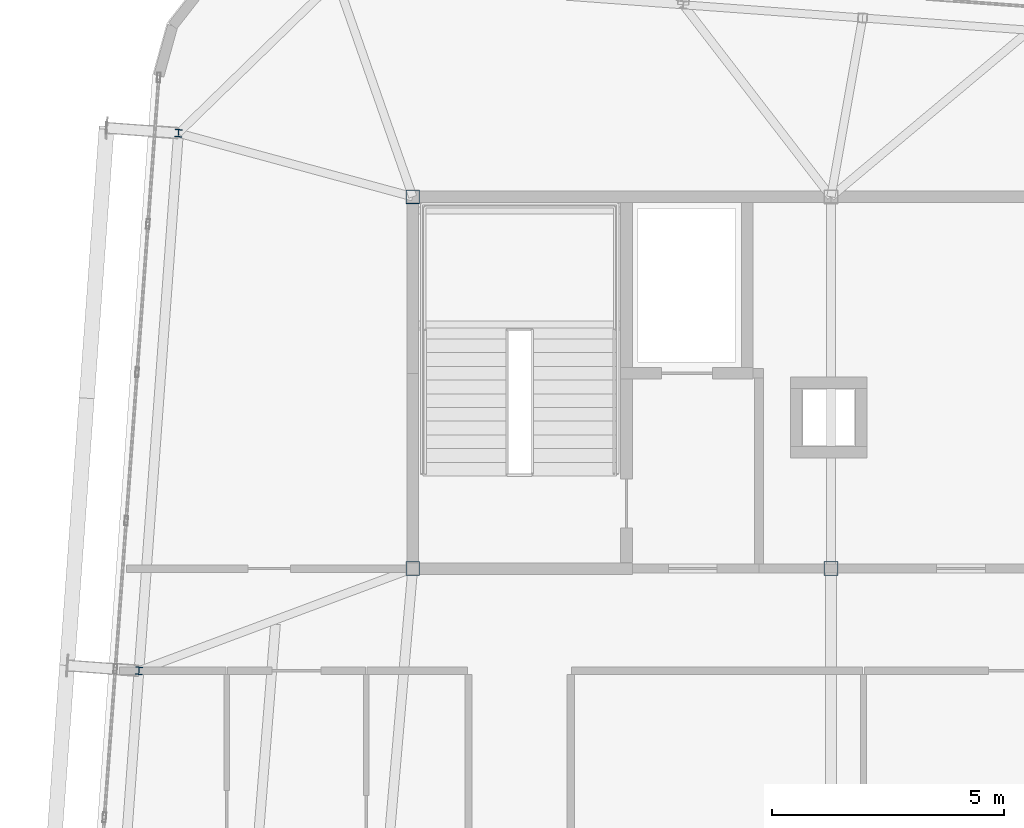
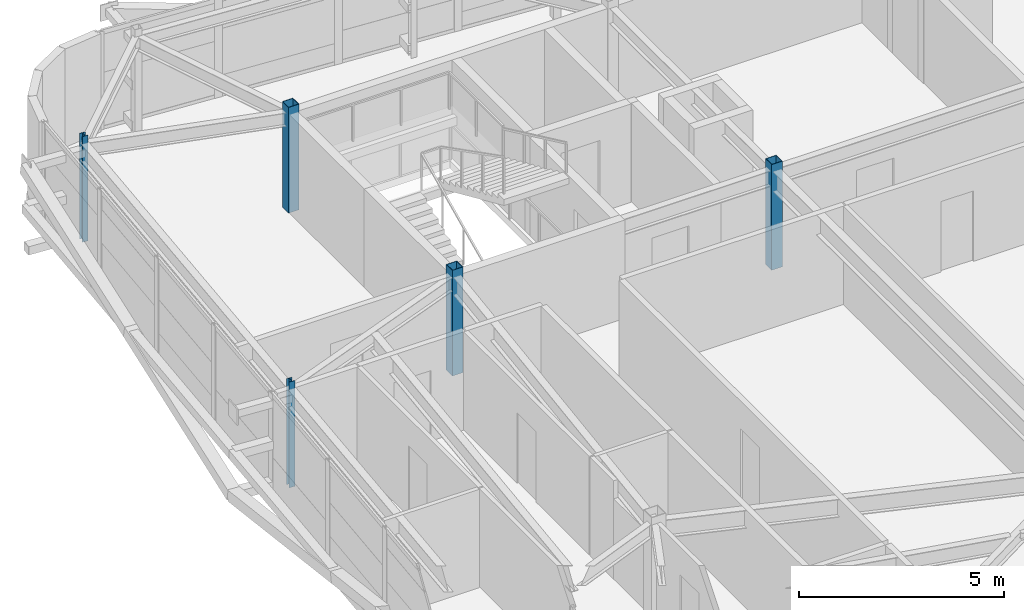
# One storey, part 3 of 42: 5 columns.
"""IFC4 building model written with IfcOpenShell, lengths in metres."""

from ifc_helpers import new_model, si_unit, direction, frame, origin, origin_2d, place, context, subcontext, project, spatial, hollow_rectangle, i_section, extrude, source, transform, mapped, material, material_profile, profile_set, type_object, element, save


model = new_model("IFC4")

# Units and contexts
model_context = context("Model", 3, precision=1e-05, world=origin(), true_north=direction((0.0, 1.0)))
body_context = subcontext(model_context, "Body", "Model", "MODEL_VIEW")
ifc_project = project(units=[si_unit("LENGTHUNIT", "METRE"), si_unit("AREAUNIT", "SQUARE_METRE"), si_unit("VOLUMEUNIT", "CUBIC_METRE"), si_unit("PLANEANGLEUNIT", "RADIAN"), si_unit("MASSUNIT", "GRAM", prefix="KILO")], contexts=[model_context])

# Site, building, storey
site_placement = place(None, origin())
site = spatial("IfcSite", under=ifc_project, at=site_placement, CompositionType="ELEMENT")
building_placement = place(site_placement, origin())
building = spatial("IfcBuilding", under=site, at=building_placement, Name="Taldren Reach Tower", CompositionType="ELEMENT")
storey_placement = place(building_placement, frame((0.0, 0.0, 220.85009765625)))
storey = spatial("IfcBuildingStorey", under=building, at=storey_placement, Name="L67", CompositionType="ELEMENT", Elevation=220.85009765625)

# Columns
ifc_material_1 = material(Name="Steel Gr 450 (C450L0)", Category="steel")
ifc_material_profile_1 = material_profile(ifc_material_1, hollow_rectangle(XDim=0.300048828125, YDim=0.300048828125, WallThickness=0.012451171875, at=origin_2d()), Name="300x300x12.5SHS")
ifc_profile_set_1 = profile_set([ifc_material_profile_1], Name="Steel Gr 450 (C450L0)")
column_type_1 = type_object("IfcColumnType", Name="COL-SHS300", PredefinedType="COLUMN", material=ifc_profile_set_1)
shared_shape_1 = source(origin(), body_context, "Body", "SweptSolid", [
    extrude(hollow_rectangle(XDim=0.300048828125, YDim=0.300048828125, WallThickness=0.012451171875, at=origin_2d()), origin(), (0.0, 0.0, 1.0), 3.14990234375),
])
for number, where, z_axis, x_axis, name in (
    (1, (19.0, 24.0, 0.0), (0.0, 0.0, 1.0), (1.0, 0.0, 0.0), "Mega column MC-C1 L67"),
    (2, (28.0, 24.0, 0.0), (0.0, 0.0, 1.0), (1.0, 0.0, 0.0), "Mega column MC-C2 L67"),
    (3, (19.0, 32.0, 0.0), (0.0, 0.0, 1.0), (1.0, 0.0, 0.0), "Mega column MC-C5 L67"),
):
    element("IfcColumn", number, at=place(storey_placement, frame(where, z_axis=z_axis, x_axis=x_axis)), inside=storey, type_object=column_type_1, Name=name, PredefinedType="COLUMN", context=body_context, shape_type="MappedRepresentation", body=[
        mapped(shared_shape_1, transform((0.0, 0.0, 0.0), scale=1.0)),
    ])
ifc_material_2 = material(Name="Steel Gr 350 (350PLUS)", Category="steel")
ifc_material_profile_2 = material_profile(ifc_material_2, i_section(OverallWidth=0.154052734375, OverallDepth=0.162109375, WebThickness=0.008056640625, FlangeThickness=0.011474609375, at=origin_2d()), Name="150UC37.2")
ifc_profile_set_2 = profile_set([ifc_material_profile_2], Name="Steel Gr 350 (350PLUS)")
column_type_2 = type_object("IfcColumnType", Name="COL-UC150", PredefinedType="COLUMN", material=ifc_profile_set_2)
shared_shape_2 = source(origin(), body_context, "Body", "SweptSolid", [
    extrude(i_section(OverallWidth=0.154052734375, OverallDepth=0.162109375, WebThickness=0.008056640625, FlangeThickness=0.011474609375, at=origin_2d()), origin(), (0.0, 0.0, 1.0), 3.14990234375),
])
for number, where, z_axis, x_axis, name in (
    (4, (13.108642578125, 21.80029296875, 0.0), (0.0, 0.0, 1.0), (0.997314477224, -0.073238197128, 0.0), "Block B5 perimeter column W2 L67"),
    (5, (13.958251953125, 33.369140625, 0.0), (0.0, 0.0, 1.0), (0.997314477224, -0.073238197128, 0.0), "Block B5 perimeter column W3 L67"),
):
    element("IfcColumn", number, at=place(storey_placement, frame(where, z_axis=z_axis, x_axis=x_axis)), inside=storey, type_object=column_type_2, Name=name, PredefinedType="COLUMN", context=body_context, shape_type="MappedRepresentation", body=[
        mapped(shared_shape_2, transform((0.0, 0.0, 0.0), scale=1.0)),
    ])

save(model, "model.ifc")
